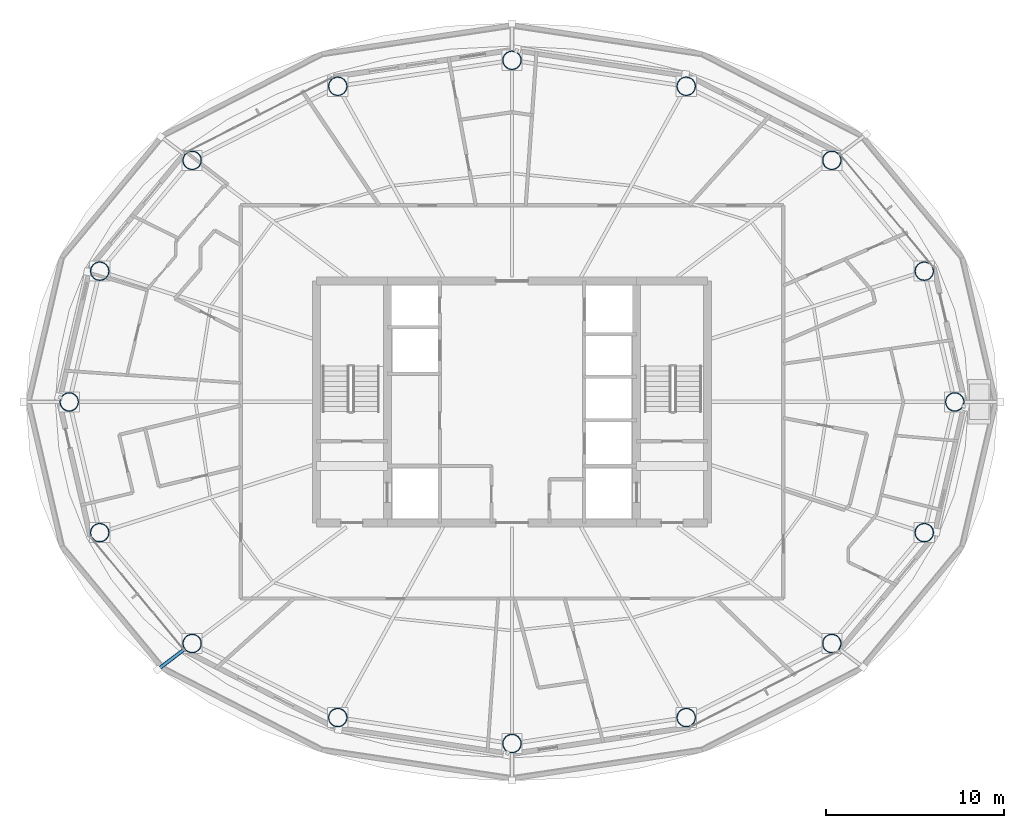
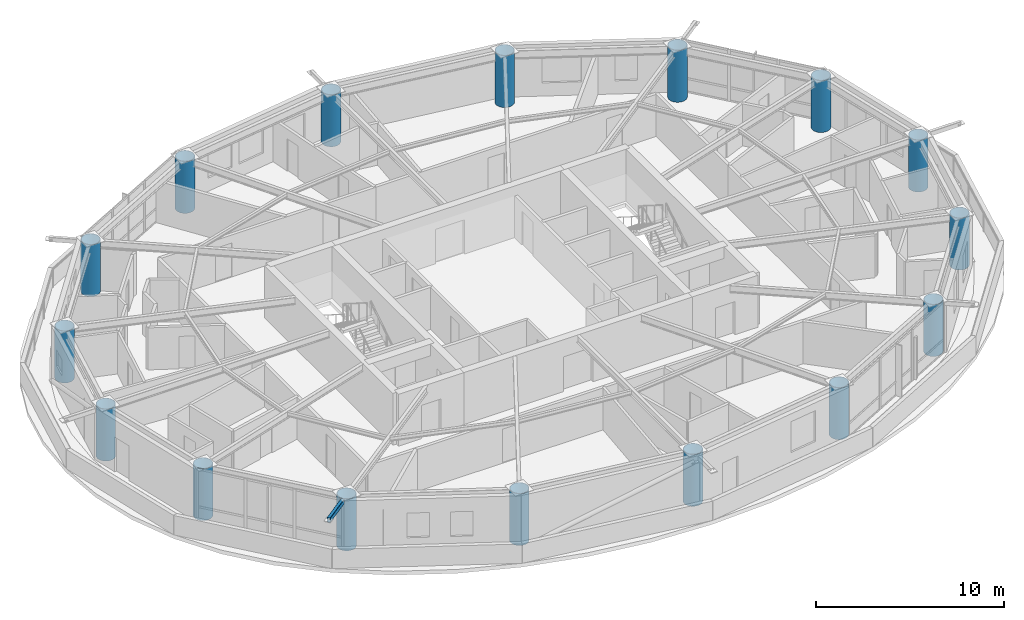
# One storey, part 1 of 22: 16 columns, 1 member.
"""IFC4 building model written with IfcOpenShell, lengths in metres."""

from ifc_helpers import new_model, si_unit, direction, frame, origin, origin_2d, place, context, subcontext, project, spatial, hollow_rectangle, hollow_circle, extrude, material, material_profile, profile_set, type_object, element, save


model = new_model("IFC4")

# Units and contexts
model_context = context("Model", 3, precision=1e-05, world=origin(), true_north=direction((0.0, 1.0)))
body_context = subcontext(model_context, "Body", "Model", "MODEL_VIEW")
ifc_project = project(units=[si_unit("LENGTHUNIT", "METRE"), si_unit("AREAUNIT", "SQUARE_METRE"), si_unit("VOLUMEUNIT", "CUBIC_METRE"), si_unit("PLANEANGLEUNIT", "RADIAN"), si_unit("MASSUNIT", "GRAM", prefix="KILO")], contexts=[model_context])

# Site, building, storey
site_placement = place(None, origin())
site = spatial("IfcSite", under=ifc_project, at=site_placement, CompositionType="ELEMENT")
building_placement = place(site_placement, origin())
building = spatial("IfcBuilding", under=site, at=building_placement, Name="Sarneth Arch Tower", CompositionType="ELEMENT")
storey_placement = place(building_placement, frame((0.0, 0.0, 206.39990234375)))
storey = spatial("IfcBuildingStorey", under=building, at=storey_placement, Name="L52", CompositionType="ELEMENT", Elevation=206.39990234375)

# Columns
ifc_material_1 = material(Name="Steel S355", Category="steel")
ifc_material_profile_1 = material_profile(ifc_material_1, hollow_circle(Radius=0.52490234375, WallThickness=0.028076171875, at=origin_2d()), Name="CHS1050x28")
ifc_profile_set_1 = profile_set([ifc_material_profile_1], Name="Steel S355")
column_type = type_object("IfcColumnType", Name="COL-MEGA-1050", PredefinedType="COLUMN", material=ifc_profile_set_1)
for number, where, z_axis, x_axis, name in (
    (1, (72.88330078125, 42.0, 0.0), (0.0, 0.0, 1.0), (1.0, 0.0, 0.0), "L52 Perimeter mega-column M01"),
    (2, (71.1689453125, 49.347412109375, 0.0), (0.0, 0.0, 1.0), (1.0, 0.0, 0.0), "L52 Perimeter mega-column M02"),
    (3, (65.975341796875, 55.576416015625, 0.0), (0.0, 0.0, 1.0), (1.0, 0.0, 0.0), "L52 Perimeter mega-column M03"),
    (4, (57.790771484375, 59.738525390625, 0.0), (0.0, 0.0, 1.0), (1.0, 0.0, 0.0), "L52 Perimeter mega-column M04"),
    (5, (48.0, 61.199951171875, 0.0), (0.0, 0.0, 1.0), (1.0, 0.0, 0.0), "L52 Perimeter mega-column M05"),
    (6, (38.209228515625, 59.738525390625, 0.0), (0.0, 0.0, 1.0), (1.0, 0.0, 0.0), "L52 Perimeter mega-column M06"),
    (7, (30.024658203125, 55.576416015625, 0.0), (0.0, 0.0, 1.0), (1.0, 0.0, 0.0), "L52 Perimeter mega-column M07"),
    (8, (24.8310546875, 49.347412109375, 0.0), (0.0, 0.0, 1.0), (1.0, 0.0, 0.0), "L52 Perimeter mega-column M08"),
    (9, (23.11669921875, 42.0, 0.0), (0.0, 0.0, 1.0), (1.0, 0.0, 0.0), "L52 Perimeter mega-column M09"),
    (10, (24.8310546875, 34.652587890625, 0.0), (0.0, 0.0, 1.0), (1.0, 0.0, 0.0), "L52 Perimeter mega-column M10"),
    (11, (30.024658203125, 28.423583984375, 0.0), (0.0, 0.0, 1.0), (1.0, 0.0, 0.0), "L52 Perimeter mega-column M11"),
    (12, (38.209228515625, 24.261474609375, 0.0), (0.0, 0.0, 1.0), (1.0, 0.0, 0.0), "L52 Perimeter mega-column M12"),
    (13, (48.0, 22.800048828125, 0.0), (0.0, 0.0, 1.0), (1.0, 0.0, 0.0), "L52 Perimeter mega-column M13"),
    (14, (57.790771484375, 24.261474609375, 0.0), (0.0, 0.0, 1.0), (1.0, 0.0, 0.0), "L52 Perimeter mega-column M14"),
    (15, (65.975341796875, 28.423583984375, 0.0), (0.0, 0.0, 1.0), (1.0, 0.0, 0.0), "L52 Perimeter mega-column M15"),
    (16, (71.1689453125, 34.652587890625, 0.0), (0.0, 0.0, 1.0), (1.0, 0.0, 0.0), "L52 Perimeter mega-column M16"),
):
    element("IfcColumn", number, at=place(storey_placement, frame(where, z_axis=z_axis, x_axis=x_axis)), inside=storey, type_object=column_type, Name=name, PredefinedType="COLUMN", context=body_context, shape_type="SweptSolid", body=[
        extrude(hollow_circle(Radius=0.52490234375, WallThickness=0.028076171875, at=origin_2d()), origin(), (0.0, 0.0, 1.0), 3.360107421875),
    ])

# Member
ifc_material_2 = material(Name="Steel S355", Category="steel")
ifc_material_profile_2 = material_profile(ifc_material_2, hollow_rectangle(XDim=0.199951171875, YDim=0.300048828125, WallThickness=0.012451171875, InnerFilletRadius=0.018798828125, OuterFilletRadius=0.03125, at=origin_2d()), Name="RHS300x200x12.5")
ifc_profile_set_2 = profile_set([ifc_material_profile_2], Name="Steel S355")
member_type = type_object("IfcMemberType", Name="MEM-CANT-STRUT", PredefinedType="STRUT", material=ifc_profile_set_2)
member_placement = place(storey_placement, frame((29.60595703125, 28.107177734375, 3.2001953125), z_axis=(-0.797957395012, -0.60271385893, 0.0), x_axis=(0.60271385893, -0.797957395012, 0.0)))
element("IfcMember", 17, at=member_placement, inside=storey, type_object=member_type, Name="L52 Balcony cantilever bracket 11", PredefinedType="STRUT", context=body_context, shape_type="SweptSolid", body=[
    extrude(hollow_rectangle(XDim=0.199951171875, YDim=0.300048828125, WallThickness=0.012451171875, InnerFilletRadius=0.018798828125, OuterFilletRadius=0.03125, at=origin_2d()), origin(), (0.0, 0.0, 1.0), 1.911865234375),
])

save(model, "model.ifc")
